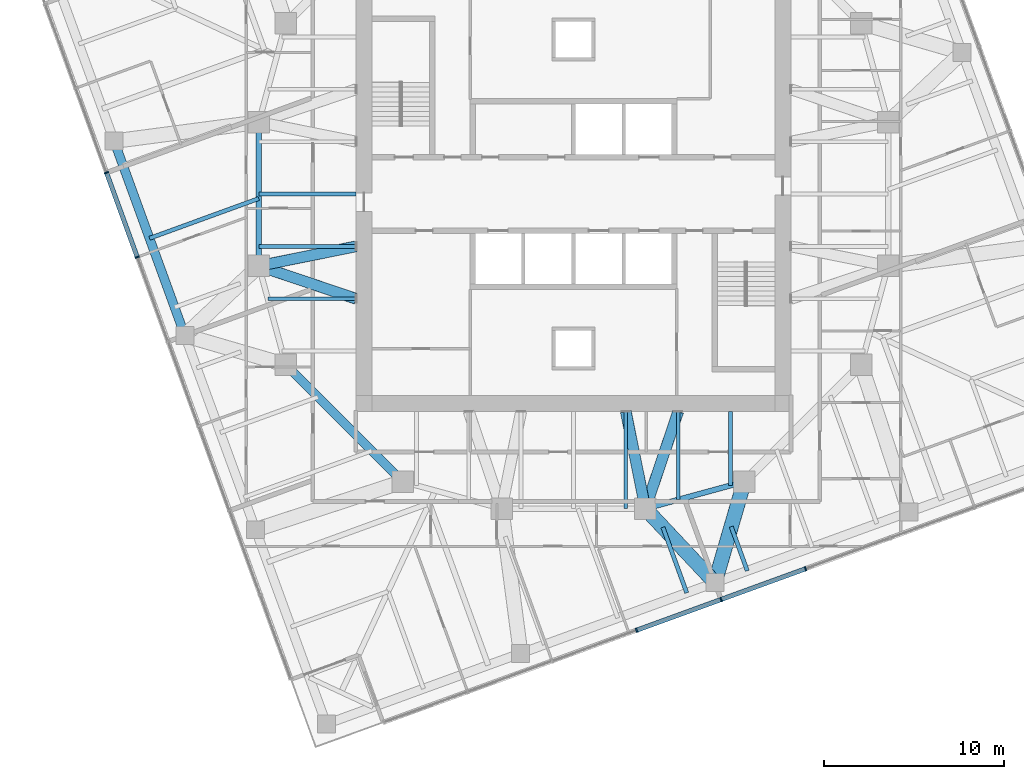
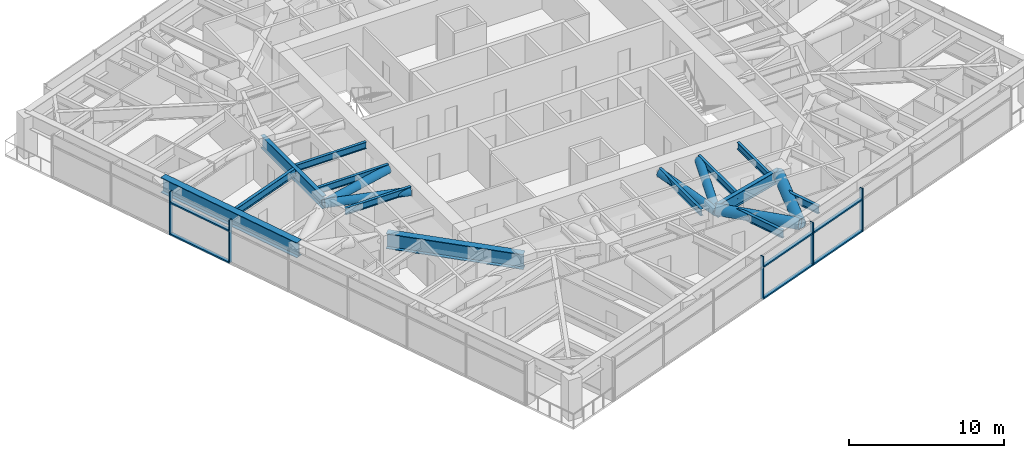
# One storey, part 3 of 16: 17 members, 13 beams, 2 elements without a shape of their own.
"""IFC4 building model written with IfcOpenShell, lengths in metres."""

from ifc_helpers import new_model, si_unit, direction, frame, origin, origin_2d, place, context, subcontext, project, spatial, rectangle, hollow_circle, i_section, extrude, material, material_profile, profile_set, type_object, element, aggregate, save


model = new_model("IFC4")

# Units and contexts
model_context = context("Model", 3, precision=1e-05, world=origin(), true_north=direction((0.0, 1.0)))
body_context = subcontext(model_context, "Body", "Model", "MODEL_VIEW")
ifc_project = project(units=[si_unit("LENGTHUNIT", "METRE"), si_unit("AREAUNIT", "SQUARE_METRE"), si_unit("VOLUMEUNIT", "CUBIC_METRE"), si_unit("PLANEANGLEUNIT", "RADIAN"), si_unit("MASSUNIT", "GRAM", prefix="KILO")], contexts=[model_context])

# Site, building, storey
site_placement = place(None, origin())
site = spatial("IfcSite", under=ifc_project, at=site_placement, CompositionType="ELEMENT")
building_placement = place(site_placement, origin())
building = spatial("IfcBuilding", under=site, at=building_placement, Name="Torsade Residences", CompositionType="ELEMENT")
storey_placement = place(building_placement, frame((0.0, 0.0, 167.60009765625)))
storey = spatial("IfcBuildingStorey", under=building, at=storey_placement, Name="L46", CompositionType="ELEMENT", Elevation=167.60009765625)

# Beams
ifc_material_1 = material(Name="Steel grade 300", Category="steel")
ifc_material_profile_1 = material_profile(ifc_material_1, i_section(OverallWidth=0.208984375, OverallDepth=0.528076171875, WebThickness=0.009521484375, FlangeThickness=0.01318359375, FilletRadius=0.013916015625, at=origin_2d()), Name="530UB82.0")
ifc_profile_set_1 = profile_set([ifc_material_profile_1], Name="Steel grade 300")
beam_type_1 = type_object("IfcBeamType", Name="INNER FLOOR BEAM 530UB82.0", PredefinedType="JOIST", material=ifc_profile_set_1)
beam_1_placement = place(storey_placement, frame((48.737548828125, 17.89990234375, 2.935791015625), z_axis=(0.0, -1.0, 0.0), x_axis=(1.0, 0.0, 0.0)))
element("IfcBeam", 1, at=beam_1_placement, inside=storey, type_object=beam_type_1, Name="Inner floor beam IS01 L47", PredefinedType="JOIST", context=body_context, shape_type="SweptSolid", body=[
    extrude(i_section(OverallWidth=0.208984375, OverallDepth=0.528076171875, WebThickness=0.009521484375, FlangeThickness=0.01318359375, FilletRadius=0.013916015625, at=origin_2d()), origin(), (0.0, 0.0, 1.0), 4.10791015625),
])
beam_2_placement = place(storey_placement, frame((45.824951171875, 17.89990234375, 2.935791015625), z_axis=(0.0, -1.0, 0.0), x_axis=(1.0, 0.0, 0.0)))
element("IfcBeam", 2, at=beam_2_placement, inside=storey, type_object=beam_type_1, Name="Inner floor beam IS02 L47", PredefinedType="JOIST", context=body_context, shape_type="SweptSolid", body=[
    extrude(i_section(OverallWidth=0.208984375, OverallDepth=0.528076171875, WebThickness=0.009521484375, FlangeThickness=0.01318359375, FilletRadius=0.013916015625, at=origin_2d()), origin(), (0.0, 0.0, 1.0), 4.902099609375),
])
for number, where, z_axis, x_axis, name in (
    (3, (42.91259765625, 17.89990234375, 2.935791015625), (0.0, -1.0, 0.0), (1.0, 0.0, 0.0), "Inner floor beam IS03 L47"),
    (4, (27.89990234375, 30.0, 2.935791015625), (-1.0, 0.0, 0.0), (0.0, -1.0, 0.0), "Inner floor beam IW04 L47"),
    (5, (27.89990234375, 27.08740234375, 2.935791015625), (-1.0, 0.0, 0.0), (0.0, -1.0, 0.0), "Inner floor beam IW05 L47"),
):
    element("IfcBeam", number, at=place(storey_placement, frame(where, z_axis=z_axis, x_axis=x_axis)), inside=storey, type_object=beam_type_1, Name=name, PredefinedType="JOIST", context=body_context, shape_type="SweptSolid", body=[
        extrude(i_section(OverallWidth=0.208984375, OverallDepth=0.528076171875, WebThickness=0.009521484375, FlangeThickness=0.01318359375, FilletRadius=0.013916015625, at=origin_2d()), origin(), (0.0, 0.0, 1.0), 5.39990234375),
    ])
beam_3_placement = place(storey_placement, frame((27.89990234375, 24.175048828125, 2.935791015625), z_axis=(-1.0, 0.0, 0.0), x_axis=(0.0, -1.0, 0.0)))
element("IfcBeam", 6, at=beam_3_placement, inside=storey, type_object=beam_type_1, Name="Inner floor beam IW06 L47", PredefinedType="JOIST", context=body_context, shape_type="SweptSolid", body=[
    extrude(i_section(OverallWidth=0.208984375, OverallDepth=0.528076171875, WebThickness=0.009521484375, FlangeThickness=0.01318359375, FilletRadius=0.013916015625, at=origin_2d()), origin(), (0.0, 0.0, 1.0), 4.902099609375),
])

# Curtain wall, members
ifc_material_2 = material(Name="Aluminium and glass", Category="aluminium")
curtain_wall_type = type_object("IfcCurtainWallType", Name="FRITTED GLASS CURTAIN WALL MID ZONE", PredefinedType="NOTDEFINED", material=ifc_material_2)
curtain_wall_1_placement = place(storey_placement, origin())
curtain_wall_1 = element("IfcCurtainWall", 7, at=curtain_wall_1_placement, inside=storey, type_object=curtain_wall_type, Name="Curtain wall L46 face 1", PredefinedType="NOTDEFINED")
ifc_material_3 = material(Name="Aluminium mullion", Category="aluminium")
ifc_material_profile_2 = material_profile(ifc_material_3, rectangle(XDim=0.25, YDim=0.080078125, at=origin_2d()), Name="MID ZONE CURTAIN WALL MULLION 250x80")
ifc_profile_set_2 = profile_set([ifc_material_profile_2], Name="Aluminium mullion")
member_type_1 = type_object("IfcMemberType", Name="MID ZONE CURTAIN WALL MULLION 250x80", PredefinedType="MULLION", material=ifc_profile_set_2)
member_1_placement = place(storey_placement, frame((43.510009765625, 5.7373046875, 0.0), z_axis=(0.0, 0.0, 1.0), x_axis=(-0.342020147869, 0.939692619132, 0.0)))
member_1 = element("IfcMember", 8, at=member_1_placement, type_object=member_type_1, Name="Mullion 4", PredefinedType="MULLION", context=body_context, shape_type="SweptSolid", body=[
    extrude(rectangle(XDim=0.25, YDim=0.080078125, at=origin_2d()), origin(), (0.0, 0.0, 1.0), 3.39990234375),
])
member_2_placement = place(storey_placement, frame((48.20849609375, 7.447265625, 0.0), z_axis=(0.0, 0.0, 1.0), x_axis=(-0.342020147869, 0.939692619132, 0.0)))
member_2 = element("IfcMember", 9, at=member_2_placement, type_object=member_type_1, Name="Mullion 5", PredefinedType="MULLION", context=body_context, shape_type="SweptSolid", body=[
    extrude(rectangle(XDim=0.25, YDim=0.080078125, at=origin_2d()), origin(), (0.0, 0.0, 1.0), 3.39990234375),
])
member_3_placement = place(storey_placement, frame((52.906982421875, 9.157470703125, 0.0), z_axis=(0.0, 0.0, 1.0), x_axis=(-0.342020147869, 0.939692619132, 0.0)))
member_3 = element("IfcMember", 10, at=member_3_placement, type_object=member_type_1, Name="Mullion 6", PredefinedType="MULLION", context=body_context, shape_type="SweptSolid", body=[
    extrude(rectangle(XDim=0.25, YDim=0.080078125, at=origin_2d()), origin(), (0.0, 0.0, 1.0), 3.39990234375),
])

curtain_wall_2_placement = place(storey_placement, origin())
curtain_wall_2 = element("IfcCurtainWall", 11, at=curtain_wall_2_placement, inside=storey, type_object=curtain_wall_type, Name="Curtain wall L46 face 10", PredefinedType="NOTDEFINED")
member_4_placement = place(storey_placement, frame((14.027099609375, 31.1884765625, 0.0), z_axis=(0.0, 0.0, 1.0), x_axis=(0.939692619132, 0.342020147869, 0.0)))
member_4 = element("IfcMember", 12, at=member_4_placement, type_object=member_type_1, Name="Mullion 3", PredefinedType="MULLION", context=body_context, shape_type="SweptSolid", body=[
    extrude(rectangle(XDim=0.25, YDim=0.080078125, at=origin_2d()), origin(), (0.0, 0.0, 1.0), 3.39990234375),
])
member_5_placement = place(storey_placement, frame((15.7373046875, 26.489990234375, 0.0), z_axis=(0.0, 0.0, 1.0), x_axis=(0.939692619132, 0.342020147869, 0.0)))
member_5 = element("IfcMember", 13, at=member_5_placement, type_object=member_type_1, Name="Mullion 4", PredefinedType="MULLION", context=body_context, shape_type="SweptSolid", body=[
    extrude(rectangle(XDim=0.25, YDim=0.080078125, at=origin_2d()), origin(), (0.0, 0.0, 1.0), 3.39990234375),
])

# Member
ifc_material_4 = material(Name="Aluminium transom", Category="aluminium")
ifc_material_profile_3 = material_profile(ifc_material_4, rectangle(XDim=0.25, YDim=0.110107421875, at=origin_2d()), Name="MID ZONE CURTAIN WALL TRANSOM 250x110")
ifc_profile_set_3 = profile_set([ifc_material_profile_3], Name="Aluminium transom")
member_type_2 = type_object("IfcMemberType", Name="MID ZONE CURTAIN WALL TRANSOM 250x110", PredefinedType="USERDEFINED", material=ifc_profile_set_3)
member_6_placement = place(storey_placement, frame((43.547607421875, 5.7509765625, 0.054931640625), z_axis=(0.9397006637, 0.341998044792, 0.0), x_axis=(-0.341998044792, 0.9397006637, 0.0)))
member_6 = element("IfcMember", 14, at=member_6_placement, type_object=member_type_2, Name="Transom 4.1", ObjectType="TRANSOM", PredefinedType="USERDEFINED", context=body_context, shape_type="SweptSolid", body=[
    extrude(rectangle(XDim=0.25, YDim=0.110107421875, at=origin_2d()), origin(), (0.0, 0.0, 1.0), 4.919921875),
])

member_7_placement = place(storey_placement, frame((43.547607421875, 5.7509765625, 2.554931640625), z_axis=(0.9397006637, 0.341998044792, 0.0), x_axis=(-0.341998044792, 0.9397006637, 0.0)))
member_7 = element("IfcMember", 15, at=member_7_placement, type_object=member_type_2, Name="Transom 4.2", ObjectType="TRANSOM", PredefinedType="USERDEFINED", context=body_context, shape_type="SweptSolid", body=[
    extrude(rectangle(XDim=0.25, YDim=0.110107421875, at=origin_2d()), origin(), (0.0, 0.0, 1.0), 4.919921875),
])

member_8_placement = place(storey_placement, frame((48.24609375, 7.4609375, 0.054931640625), z_axis=(0.93968471549, 0.342041862168, 0.0), x_axis=(-0.342041862168, 0.93968471549, 0.0)))
member_8 = element("IfcMember", 16, at=member_8_placement, type_object=member_type_2, Name="Transom 5.1", ObjectType="TRANSOM", PredefinedType="USERDEFINED", context=body_context, shape_type="SweptSolid", body=[
    extrude(rectangle(XDim=0.25, YDim=0.110107421875, at=origin_2d()), origin(), (0.0, 0.0, 1.0), 4.920166015625),
])

member_9_placement = place(storey_placement, frame((48.24609375, 7.4609375, 2.554931640625), z_axis=(0.93968471549, 0.342041862168, 0.0), x_axis=(-0.342041862168, 0.93968471549, 0.0)))
member_9 = element("IfcMember", 17, at=member_9_placement, type_object=member_type_2, Name="Transom 5.2", ObjectType="TRANSOM", PredefinedType="USERDEFINED", context=body_context, shape_type="SweptSolid", body=[
    extrude(rectangle(XDim=0.25, YDim=0.110107421875, at=origin_2d()), origin(), (0.0, 0.0, 1.0), 4.920166015625),
])

aggregate(curtain_wall_1, [member_1, member_2, member_3, member_6, member_7, member_8, member_9])

member_10_placement = place(storey_placement, frame((14.040771484375, 31.15087890625, 0.054931640625), z_axis=(0.342041862168, -0.93968471549, 0.0), x_axis=(0.93968471549, 0.342041862168, 0.0)))
member_10 = element("IfcMember", 18, at=member_10_placement, type_object=member_type_2, Name="Transom 3.1", ObjectType="TRANSOM", PredefinedType="USERDEFINED", context=body_context, shape_type="SweptSolid", body=[
    extrude(rectangle(XDim=0.25, YDim=0.110107421875, at=origin_2d()), origin(), (0.0, 0.0, 1.0), 4.920166015625),
])

member_11_placement = place(storey_placement, frame((14.040771484375, 31.15087890625, 2.554931640625), z_axis=(0.342041862168, -0.93968471549, 0.0), x_axis=(0.93968471549, 0.342041862168, 0.0)))
member_11 = element("IfcMember", 19, at=member_11_placement, type_object=member_type_2, Name="Transom 3.2", ObjectType="TRANSOM", PredefinedType="USERDEFINED", context=body_context, shape_type="SweptSolid", body=[
    extrude(rectangle(XDim=0.25, YDim=0.110107421875, at=origin_2d()), origin(), (0.0, 0.0, 1.0), 4.920166015625),
])

aggregate(curtain_wall_2, [member_4, member_5, member_10, member_11])

# Beams
ifc_material_5 = material(Name="Steel grade 300", Category="steel")
ifc_material_profile_4 = material_profile(ifc_material_5, i_section(OverallWidth=0.5, OverallDepth=1.199951171875, WebThickness=0.01611328125, FlangeThickness=0.0400390625, at=origin_2d()), Name="1200WB455")
ifc_profile_set_4 = profile_set([ifc_material_profile_4], Name="Steel grade 300")
beam_type_2 = type_object("IfcBeamType", Name="RING CORNER GIRDER 1200WB455", PredefinedType="BEAM", material=ifc_profile_set_4)
beam_4_placement = place(storey_placement, frame((24.0, 20.5, 2.599853515625), z_axis=(0.707106781187, -0.707106781187, 0.0), x_axis=(0.707106781187, 0.707106781187, 0.0)))
element("IfcBeam", 20, at=beam_4_placement, inside=storey, type_object=beam_type_2, Name="Ring girder IR11 L47", PredefinedType="BEAM", context=body_context, shape_type="SweptSolid", body=[
    extrude(i_section(OverallWidth=0.5, OverallDepth=1.199951171875, WebThickness=0.01611328125, FlangeThickness=0.0400390625, at=origin_2d()), origin(), (0.0, 0.0, 1.0), 9.1923828125),
])
ifc_material_6 = material(Name="Steel grade 300", Category="steel")
ifc_material_profile_5 = material_profile(ifc_material_6, i_section(OverallWidth=0.300048828125, OverallDepth=1.0, WebThickness=0.01611328125, FlangeThickness=0.028076171875, at=origin_2d()), Name="1000WB215")
ifc_profile_set_5 = profile_set([ifc_material_profile_5], Name="Steel grade 300")
beam_type_3 = type_object("IfcBeamType", Name="RING GIRDER 1000WB215", PredefinedType="BEAM", material=ifc_profile_set_5)
beam_5_placement = place(storey_placement, frame((22.5, 34.0, 2.699951171875), z_axis=(0.0, -1.0, 0.0), x_axis=(1.0, 0.0, 0.0)))
element("IfcBeam", 21, at=beam_5_placement, inside=storey, type_object=beam_type_3, Name="Ring girder IR09 L47", PredefinedType="BEAM", context=body_context, shape_type="SweptSolid", body=[
    extrude(i_section(OverallWidth=0.300048828125, OverallDepth=1.0, WebThickness=0.01611328125, FlangeThickness=0.028076171875, at=origin_2d()), origin(), (0.0, 0.0, 1.0), 8.0),
])
beam_6_placement = place(storey_placement, frame((44.0, 12.5, 2.699951171875), z_axis=(0.964763821238, 0.263117405792, 0.0), x_axis=(-0.263117405792, 0.964763821238, 0.0)))
element("IfcBeam", 22, at=beam_6_placement, inside=storey, type_object=beam_type_3, Name="Ring girder IR14 L47", PredefinedType="BEAM", context=body_context, shape_type="SweptSolid", body=[
    extrude(i_section(OverallWidth=0.300048828125, OverallDepth=1.0, WebThickness=0.01611328125, FlangeThickness=0.028076171875, at=origin_2d()), origin(), (0.0, 0.0, 1.0), 5.700927734375),
])
ifc_material_7 = material(Name="Steel grade 300", Category="steel")
ifc_material_profile_6 = material_profile(ifc_material_7, i_section(OverallWidth=0.22900390625, OverallDepth=0.612060546875, WebThickness=0.011962890625, FlangeThickness=0.01953125, FilletRadius=0.013916015625, at=origin_2d()), Name="610UB125")
ifc_profile_set_6 = profile_set([ifc_material_profile_6], Name="Steel grade 300")
beam_type_4 = type_object("IfcBeamType", Name="SECONDARY BEAM 610UB125", PredefinedType="JOIST", material=ifc_profile_set_6)
beam_7_placement = place(storey_placement, frame((46.30029296875, 7.817138671875, 2.893798828125), z_axis=(-0.341990430397, 0.939703434875, 0.0), x_axis=(-0.939703434875, -0.341990430397, 0.0)))
element("IfcBeam", 23, at=beam_7_placement, inside=storey, type_object=beam_type_4, Name="Floor beam FS06 L47", PredefinedType="JOIST", context=body_context, shape_type="SweptSolid", body=[
    extrude(i_section(OverallWidth=0.22900390625, OverallDepth=0.612060546875, WebThickness=0.011962890625, FlangeThickness=0.01953125, FilletRadius=0.013916015625, at=origin_2d()), origin(), (0.0, 0.0, 1.0), 3.8828125),
])
beam_8_placement = place(storey_placement, frame((49.66748046875, 9.042724609375, 2.893798828125), z_axis=(-0.342035282523, 0.93968711043, 0.0), x_axis=(-0.93968711043, -0.342035282523, 0.0)))
element("IfcBeam", 24, at=beam_8_placement, inside=storey, type_object=beam_type_4, Name="Floor beam FS07 L47", PredefinedType="JOIST", context=body_context, shape_type="SweptSolid", body=[
    extrude(i_section(OverallWidth=0.22900390625, OverallDepth=0.612060546875, WebThickness=0.011962890625, FlangeThickness=0.01953125, FilletRadius=0.013916015625, at=origin_2d()), origin(), (0.0, 0.0, 1.0), 2.615966796875),
])
beam_9_placement = place(storey_placement, frame((16.42041015625, 27.536865234375, 2.893798828125), z_axis=(0.939699737026, 0.342000590983, 0.0), x_axis=(-0.342000590983, 0.939699737026, 0.0)))
element("IfcBeam", 25, at=beam_9_placement, inside=storey, type_object=beam_type_4, Name="Floor beam FW05 L47", PredefinedType="JOIST", context=body_context, shape_type="SweptSolid", body=[
    extrude(i_section(OverallWidth=0.22900390625, OverallDepth=0.612060546875, WebThickness=0.011962890625, FlangeThickness=0.01953125, FilletRadius=0.013916015625, at=origin_2d()), origin(), (0.0, 0.0, 1.0), 6.4697265625),
])

# Members
ifc_material_8 = material(Name="Steel grade 450", Category="steel")
ifc_material_profile_7 = material_profile(ifc_material_8, hollow_circle(Radius=0.304931640625, WallThickness=0.01611328125, at=origin_2d()), Name="610.0x16.0CHS")
ifc_profile_set_7 = profile_set([ifc_material_profile_7], Name="Steel grade 450")
member_type_3 = type_object("IfcMemberType", Name="TRANSFER FLOOR BRACE 610.0x16.0CHS", PredefinedType="BRACE", material=ifc_profile_set_7)
member_12_placement = place(storey_placement, frame((22.5, 26.0, 2.599853515625), z_axis=(0.97976207845, 0.197299045909, 0.03375434957), x_axis=(-0.197411538983, 0.980320704809, 0.0)))
element("IfcMember", 26, at=member_12_placement, inside=storey, type_object=member_type_3, Name="Transfer floor brace TT5 bottom IR10IW05", PredefinedType="BRACE", context=body_context, shape_type="SweptSolid", body=[
    extrude(hollow_circle(Radius=0.304931640625, WallThickness=0.01611328125, at=origin_2d()), origin(), (0.0, 0.0, 1.0), 5.511474609375),
])
member_13_placement = place(storey_placement, frame((22.5, 26.0, 2.599853515625), z_axis=(0.946855969774, -0.319999474368, 0.032620682203), x_axis=(0.320169867513, 0.947360151124, 0.0)))
element("IfcMember", 27, at=member_13_placement, inside=storey, type_object=member_type_3, Name="Transfer floor brace TT5 bottom IR10IW06", PredefinedType="BRACE", context=body_context, shape_type="SweptSolid", body=[
    extrude(hollow_circle(Radius=0.304931640625, WallThickness=0.01611328125, at=origin_2d()), origin(), (0.0, 0.0, 1.0), 5.702880859375),
])
member_14_placement = place(storey_placement, frame((44.0, 12.5, 2.599853515625), z_axis=(-0.197299045909, 0.97976207845, 0.03375434957), x_axis=(-0.980320704809, -0.197411538983, 0.0)))
element("IfcMember", 28, at=member_14_placement, inside=storey, type_object=member_type_3, Name="Transfer floor brace TT5 bottom IR14IS03", PredefinedType="BRACE", context=body_context, shape_type="SweptSolid", body=[
    extrude(hollow_circle(Radius=0.304931640625, WallThickness=0.01611328125, at=origin_2d()), origin(), (0.0, 0.0, 1.0), 5.511474609375),
])
member_15_placement = place(storey_placement, frame((44.0, 12.5, 2.599853515625), z_axis=(0.319999474368, 0.946855969774, 0.032620682203), x_axis=(-0.947360151124, 0.320169867513, 0.0)))
element("IfcMember", 29, at=member_15_placement, inside=storey, type_object=member_type_3, Name="Transfer floor brace TT5 bottom IR14IS02", PredefinedType="BRACE", context=body_context, shape_type="SweptSolid", body=[
    extrude(hollow_circle(Radius=0.304931640625, WallThickness=0.01611328125, at=origin_2d()), origin(), (0.0, 0.0, 1.0), 5.702880859375),
])
ifc_material_9 = material(Name="Steel grade 450", Category="steel")
ifc_material_profile_8 = material_profile(ifc_material_9, hollow_circle(Radius=0.406494140625, WallThickness=0.02490234375, at=origin_2d()), Name="813.0x25.0CHS")
ifc_profile_set_8 = profile_set([ifc_material_profile_8], Name="Steel grade 450")
member_type_4 = type_object("IfcMemberType", Name="TRANSFER FLOOR STRUT 813.0x25.0CHS", PredefinedType="STRUT", material=ifc_profile_set_8)
member_16_placement = place(storey_placement, frame((47.866455078125, 8.386962890625, 2.7998046875), z_axis=(-0.684928836258, 0.728609970603, 0.0), x_axis=(-0.728609970603, -0.684928836258, 0.0)))
element("IfcMember", 30, at=member_16_placement, inside=storey, type_object=member_type_4, Name="Transfer floor strut TT5 bottom 03IR14", PredefinedType="STRUT", context=body_context, shape_type="SweptSolid", body=[
    extrude(hollow_circle(Radius=0.406494140625, WallThickness=0.02490234375, at=origin_2d()), origin(), (0.0, 0.0, 1.0), 5.64501953125),
])
member_17_placement = place(storey_placement, frame((47.866455078125, 8.386962890625, 2.7998046875), z_axis=(0.279433850327, 0.960164945877, 0.0), x_axis=(-0.960164945877, 0.279433850327, 0.0)))
element("IfcMember", 31, at=member_17_placement, inside=storey, type_object=member_type_4, Name="Transfer floor strut TT5 bottom 03IR15", PredefinedType="STRUT", context=body_context, shape_type="SweptSolid", body=[
    extrude(hollow_circle(Radius=0.406494140625, WallThickness=0.02490234375, at=origin_2d()), origin(), (0.0, 0.0, 1.0), 5.845947265625),
])

# Beam
ifc_material_10 = material(Name="Steel grade 300", Category="steel")
ifc_material_profile_9 = material_profile(ifc_material_10, i_section(OverallWidth=0.5, OverallDepth=1.199951171875, WebThickness=0.01611328125, FlangeThickness=0.0400390625, at=origin_2d()), Name="1200WB455")
ifc_profile_set_9 = profile_set([ifc_material_profile_9], Name="Steel grade 300")
beam_type_5 = type_object("IfcBeamType", Name="TRANSFER TRUSS CHORD 1200WB455", PredefinedType="USERDEFINED", material=ifc_profile_set_9)
beam_10_placement = place(storey_placement, frame((14.453857421875, 32.93994140625, 2.7998046875), z_axis=(0.342012373318, -0.939695448801, 0.0), x_axis=(0.939695448801, 0.342012373318, 0.0)))
element("IfcBeam", 32, at=beam_10_placement, inside=storey, type_object=beam_type_5, Name="Transfer truss TT5 bottom chord 14", ObjectType="TRANSFER TRUSS CHORD", PredefinedType="USERDEFINED", context=body_context, shape_type="SweptSolid", body=[
    extrude(i_section(OverallWidth=0.5, OverallDepth=1.199951171875, WebThickness=0.01611328125, FlangeThickness=0.0400390625, at=origin_2d()), origin(), (0.0, 0.0, 1.0), 11.5),
])

save(model, "model.ifc")
